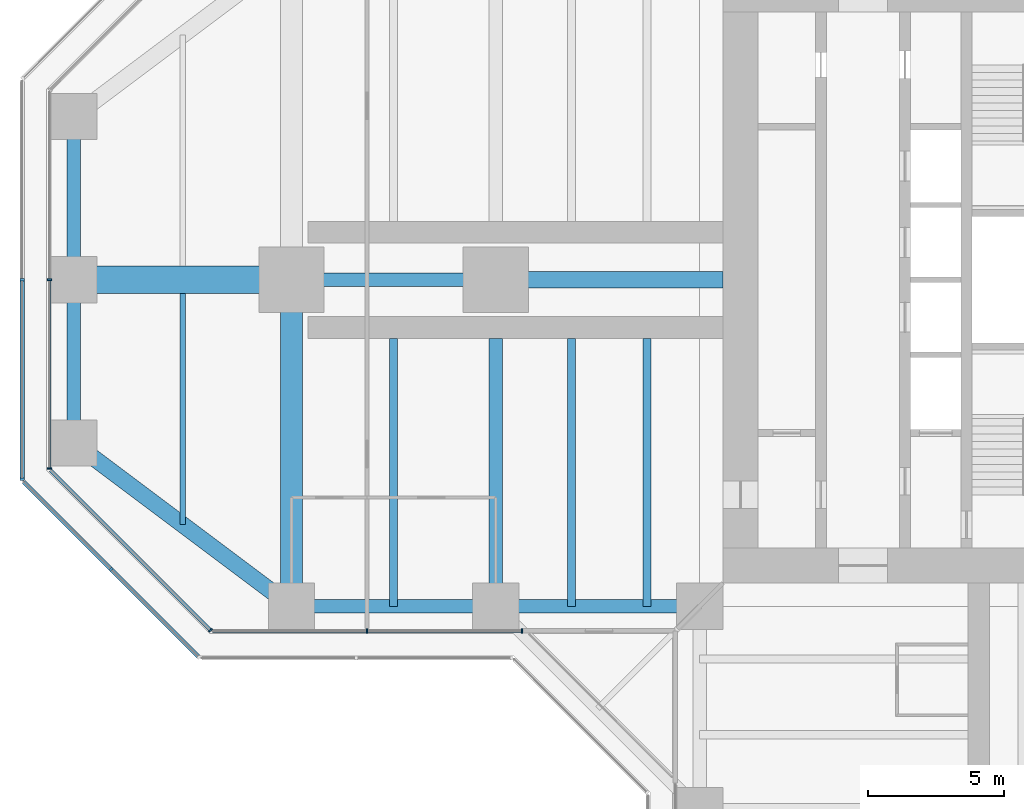
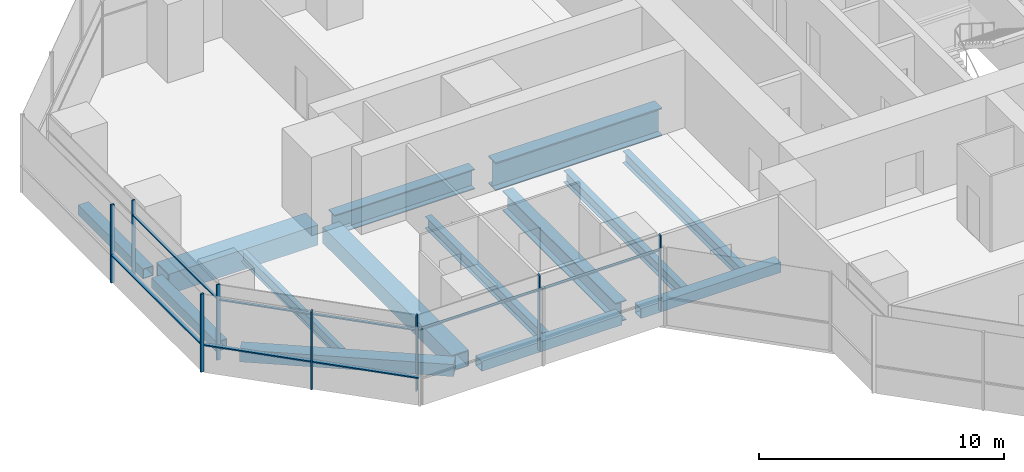
# One storey, part 3 of 19: 15 members, 14 beams, 5 elements without a shape of their own.
"""IFC4 building model written with IfcOpenShell, lengths in metres."""

from ifc_helpers import new_model, si_unit, direction, frame, origin, origin_2d, place, context, subcontext, project, spatial, rectangle, hollow_rectangle, i_section, extrude, material, material_profile, profile_set, type_object, element, aggregate, save


model = new_model("IFC4")

# Units and contexts
model_context = context("Model", 3, precision=1e-05, world=origin(), true_north=direction((0.0, 1.0)))
body_context = subcontext(model_context, "Body", "Model", "MODEL_VIEW")
ifc_project = project(units=[si_unit("LENGTHUNIT", "METRE"), si_unit("AREAUNIT", "SQUARE_METRE"), si_unit("VOLUMEUNIT", "CUBIC_METRE"), si_unit("PLANEANGLEUNIT", "RADIAN"), si_unit("MASSUNIT", "GRAM", prefix="KILO")], contexts=[model_context])

# Site, building, storey
site_placement = place(None, origin())
site = spatial("IfcSite", under=ifc_project, at=site_placement, CompositionType="ELEMENT")
building_placement = place(site_placement, origin())
building = spatial("IfcBuilding", under=site, at=building_placement, Name="Mizan Broadcast Tower", CompositionType="ELEMENT")
storey_placement = place(building_placement, frame((0.0, 0.0, 182.699951171875)))
storey = spatial("IfcBuildingStorey", under=building, at=storey_placement, Name="L42", CompositionType="ELEMENT", Elevation=182.699951171875)

# Beams
ifc_material_1 = material(Name="Steel S355", Category="steel")
ifc_material_profile_1 = material_profile(ifc_material_1, hollow_rectangle(XDim=0.5, YDim=0.5, WallThickness=0.030029296875, at=origin_2d()), Name="BOX 500x500x30")
ifc_profile_set_1 = profile_set([ifc_material_profile_1], Name="Steel S355")
beam_type_1 = type_object("IfcBeamType", Name="EDGE BEAM BOX 500x500x30", PredefinedType="SPANDREL", material=ifc_profile_set_1)
beam_1_placement = place(storey_placement, frame((-35.0, 5.639892578125, -0.3798828125), z_axis=(0.0, -1.0, 0.0), x_axis=(1.0, 0.0, 0.0)))
element("IfcBeam", 1, at=beam_1_placement, inside=storey, type_object=beam_type_1, Name="Edge beam BOX 500x500x30 L42 west arm", PredefinedType="SPANDREL", context=body_context, shape_type="SweptSolid", body=[
    extrude(hollow_rectangle(XDim=0.5, YDim=0.5, WallThickness=0.030029296875, at=origin_2d()), origin(), (0.0, 0.0, 1.0), 5.27978515625),
])
for number, where, z_axis, x_axis, name in (
    (2, (-12.449951171875, -12.0, -0.3798828125), (-1.0, 0.0, 0.0), (0.0, -1.0, 0.0), "Edge beam BOX 500x500x30 L42 west arm"),
    (3, (-19.949951171875, -12.0, -0.3798828125), (-1.0, 0.0, 0.0), (0.0, -1.0, 0.0), "Edge beam BOX 500x500x30 L42 west arm"),
):
    element("IfcBeam", number, at=place(storey_placement, frame(where, z_axis=z_axis, x_axis=x_axis)), inside=storey, type_object=beam_type_1, Name=name, PredefinedType="SPANDREL", context=body_context, shape_type="SweptSolid", body=[
        extrude(hollow_rectangle(XDim=0.5, YDim=0.5, WallThickness=0.030029296875, at=origin_2d()), origin(), (0.0, 0.0, 1.0), 6.60009765625),
    ])
beam_2_placement = place(storey_placement, frame((-35.0, -5.639892578125, -0.3798828125), z_axis=(0.0, 1.0, 0.0), x_axis=(-1.0, 0.0, 0.0)))
element("IfcBeam", 4, at=beam_2_placement, inside=storey, type_object=beam_type_1, Name="Edge beam BOX 500x500x30 L42 west arm", PredefinedType="SPANDREL", context=body_context, shape_type="SweptSolid", body=[
    extrude(hollow_rectangle(XDim=0.5, YDim=0.5, WallThickness=0.030029296875, at=origin_2d()), origin(), (0.0, 0.0, 1.0), 5.27978515625),
])
ifc_material_2 = material(Name="Steel S355", Category="steel")
ifc_material_profile_2 = material_profile(ifc_material_2, hollow_rectangle(XDim=0.60009765625, YDim=0.60009765625, WallThickness=0.030029296875, at=origin_2d()), Name="BOX 600x600x30")
ifc_profile_set_2 = profile_set([ifc_material_profile_2], Name="Steel S355")
beam_type_2 = type_object("IfcBeamType", Name="EDGE BEAM BOX 600x600x30", PredefinedType="SPANDREL", material=ifc_profile_set_2)
beam_3_placement = place(storey_placement, frame((-27.47998046875, -11.639892578125, -0.429931640625), z_axis=(-0.800013316712, 0.599982243973, 0.0), x_axis=(-0.599982243973, -0.800013316712, 0.0)))
element("IfcBeam", 5, at=beam_3_placement, inside=storey, type_object=beam_type_2, Name="Edge beam BOX 600x600x30 L42 west arm", PredefinedType="SPANDREL", context=body_context, shape_type="SweptSolid", body=[
    extrude(hollow_rectangle(XDim=0.60009765625, YDim=0.60009765625, WallThickness=0.030029296875, at=origin_2d()), origin(), (0.0, 0.0, 1.0), 8.7998046875),
])
ifc_material_3 = material(Name="Steel S460", Category="steel")
ifc_material_profile_3 = material_profile(ifc_material_3, hollow_rectangle(XDim=1.0, YDim=1.0, WallThickness=0.06005859375, at=origin_2d()), Name="BOX 1000x1000x60")
ifc_profile_set_3 = profile_set([ifc_material_profile_3], Name="Steel S460")
beam_type_3 = type_object("IfcBeamType", Name="GIRDER BOX 1000x1000x60", PredefinedType="BEAM", material=ifc_profile_set_3)
beam_4_placement = place(storey_placement, frame((-27.47998046875, 0.0, -0.6298828125), z_axis=(-1.0, 0.0, 0.0), x_axis=(0.0, -1.0, 0.0)))
element("IfcBeam", 6, at=beam_4_placement, inside=storey, type_object=beam_type_3, Name="Girder BOX 1000x1000x60 L42 west arm", PredefinedType="BEAM", context=body_context, shape_type="SweptSolid", body=[
    extrude(hollow_rectangle(XDim=1.0, YDim=1.0, WallThickness=0.06005859375, at=origin_2d()), origin(), (0.0, 0.0, 1.0), 7.0400390625),
])
ifc_material_4 = material(Name="Steel S460", Category="steel")
ifc_material_profile_4 = material_profile(ifc_material_4, hollow_rectangle(XDim=0.800048828125, YDim=0.800048828125, WallThickness=0.050048828125, at=origin_2d()), Name="BOX 800x800x50")
ifc_profile_set_4 = profile_set([ifc_material_profile_4], Name="Steel S460")
beam_type_4 = type_object("IfcBeamType", Name="GIRDER BOX 800x800x50", PredefinedType="BEAM", material=ifc_profile_set_4)
beam_5_placement = place(storey_placement, frame((-27.0, -11.280029296875, -0.530029296875), z_axis=(0.0, 1.0, 0.0), x_axis=(-1.0, 0.0, 0.0)))
element("IfcBeam", 7, at=beam_5_placement, inside=storey, type_object=beam_type_4, Name="Girder BOX 800x800x50 L42 west arm", PredefinedType="BEAM", context=body_context, shape_type="SweptSolid", body=[
    extrude(hollow_rectangle(XDim=0.800048828125, YDim=0.800048828125, WallThickness=0.050048828125, at=origin_2d()), origin(), (0.0, 0.0, 1.0), 10.56005859375),
])
ifc_material_5 = material(Name="Steel S460", Category="steel")
ifc_material_profile_5 = material_profile(ifc_material_5, i_section(OverallWidth=0.5, OverallDepth=1.0, WebThickness=0.02490234375, FlangeThickness=0.050048828125, at=origin_2d()), Name="WPG 1000x500")
ifc_profile_set_5 = profile_set([ifc_material_profile_5], Name="Steel S460")
beam_type_5 = type_object("IfcBeamType", Name="GIRDER WPG 1000x500", PredefinedType="BEAM", material=ifc_profile_set_5)
beam_6_placement = place(storey_placement, frame((-19.949951171875, 0.0, -0.6298828125), z_axis=(-1.0, 0.0, 0.0), x_axis=(0.0, -1.0, 0.0)))
element("IfcBeam", 8, at=beam_6_placement, inside=storey, type_object=beam_type_5, Name="Girder WPG 1000x500 L42 west arm", PredefinedType="BEAM", context=body_context, shape_type="SweptSolid", body=[
    extrude(i_section(OverallWidth=0.5, OverallDepth=1.0, WebThickness=0.02490234375, FlangeThickness=0.050048828125, at=origin_2d()), origin(), (0.0, 0.0, 1.0), 6.60009765625),
])
beam_7_placement = place(storey_placement, frame((-19.5, -11.408935546875, -0.6298828125), z_axis=(0.0, 1.0, 0.0), x_axis=(-1.0, 0.0, 0.0)))
element("IfcBeam", 9, at=beam_7_placement, inside=storey, type_object=beam_type_5, Name="Girder WPG 1000x500 L42 west arm", PredefinedType="BEAM", context=body_context, shape_type="SweptSolid", body=[
    extrude(i_section(OverallWidth=0.5, OverallDepth=1.0, WebThickness=0.02490234375, FlangeThickness=0.050048828125, at=origin_2d()), origin(), (0.0, 0.0, 1.0), 9.259033203125),
])
ifc_material_6 = material(Name="Steel S460", Category="steel")
ifc_material_profile_6 = material_profile(ifc_material_6, i_section(OverallWidth=0.60009765625, OverallDepth=1.39990234375, WebThickness=0.02490234375, FlangeThickness=0.06005859375, at=origin_2d()), Name="WPG 1400x600")
ifc_profile_set_6 = profile_set([ifc_material_profile_6], Name="Steel S460")
beam_type_6 = type_object("IfcBeamType", Name="GIRDER WPG 1400x600", PredefinedType="BEAM", material=ifc_profile_set_6)
beam_8_placement = place(storey_placement, frame((-11.14990234375, 0.0, -0.829833984375), z_axis=(-1.0, 0.0, 0.0), x_axis=(0.0, -1.0, 0.0)))
element("IfcBeam", 10, at=beam_8_placement, inside=storey, type_object=beam_type_6, Name="Girder WPG 1400x600 L42 west arm", PredefinedType="BEAM", context=body_context, shape_type="SweptSolid", body=[
    extrude(i_section(OverallWidth=0.60009765625, OverallDepth=1.39990234375, WebThickness=0.02490234375, FlangeThickness=0.06005859375, at=origin_2d()), origin(), (0.0, 0.0, 1.0), 7.84912109375),
])

# Curtain wall, members
ifc_material_7 = material(Name="Aluminium framed glazing", Category="aluminium")
curtain_wall_type_1 = type_object("IfcCurtainWallType", Name="INNER SKIN MID ZONE", PredefinedType="USERDEFINED", material=ifc_material_7)
curtain_wall_1_placement = place(storey_placement, origin())
curtain_wall_1 = element("IfcCurtainWall", 11, at=curtain_wall_1_placement, inside=storey, type_object=curtain_wall_type_1, Name="Inner skin mid zone L42 W end", ObjectType="INNER SKIN MID ZONE", PredefinedType="USERDEFINED")
ifc_material_8 = material(Name="Aluminium, pale anodised", Category="aluminium")
ifc_material_profile_7 = material_profile(ifc_material_8, rectangle(XDim=0.159912109375, YDim=0.06005859375, at=origin_2d()), Name="MULLION 160x60")
ifc_profile_set_7 = profile_set([ifc_material_profile_7], Name="Aluminium, pale anodised")
member_type_1 = type_object("IfcMemberType", Name="INNER SKIN MULLION 60x160", PredefinedType="MULLION", material=ifc_profile_set_7)
member_1_placement = place(storey_placement, frame((-35.89990234375, 0.0, 0.0), z_axis=(0.0, 0.0, 1.0), x_axis=(1.0, 0.0, 0.0)))
member_1 = element("IfcMember", 12, at=member_1_placement, type_object=member_type_1, Name="Inner skin mid zone L42 W end mullion 2", PredefinedType="MULLION", context=body_context, shape_type="SweptSolid", body=[
    extrude(rectangle(XDim=0.159912109375, YDim=0.06005859375, at=origin_2d()), origin(), (0.0, 0.0, 1.0), 3.77001953125),
])
member_2_placement = place(storey_placement, frame((-35.89990234375, -6.928466796875, 0.0), z_axis=(0.0, 0.0, 1.0), x_axis=(1.0, 0.0, 0.0)))
member_2 = element("IfcMember", 13, at=member_2_placement, type_object=member_type_1, Name="Inner skin mid zone L42 W end mullion 3", PredefinedType="MULLION", context=body_context, shape_type="SweptSolid", body=[
    extrude(rectangle(XDim=0.159912109375, YDim=0.06005859375, at=origin_2d()), origin(), (0.0, 0.0, 1.0), 3.77001953125),
])

# Curtain wall, member
curtain_wall_2_placement = place(storey_placement, origin())
curtain_wall_2 = element("IfcCurtainWall", 14, at=curtain_wall_2_placement, inside=storey, type_object=curtain_wall_type_1, Name="Inner skin mid zone L42 W chamfer", ObjectType="INNER SKIN MID ZONE", PredefinedType="USERDEFINED")
member_3_placement = place(storey_placement, frame((-29.979736328125, -12.87890625, 0.0), z_axis=(0.0, 0.0, 1.0), x_axis=(0.707106781187, 0.707106781187, 0.0)))
member_3 = element("IfcMember", 15, at=member_3_placement, type_object=member_type_1, Name="Inner skin mid zone L42 W chamfer mullion 2", PredefinedType="MULLION", context=body_context, shape_type="SweptSolid", body=[
    extrude(rectangle(XDim=0.159912109375, YDim=0.06005859375, at=origin_2d()), origin(), (0.0, 0.0, 1.0), 3.77001953125),
])

# Curtain wall, members
curtain_wall_3_placement = place(storey_placement, origin())
curtain_wall_3 = element("IfcCurtainWall", 16, at=curtain_wall_3_placement, inside=storey, type_object=curtain_wall_type_1, Name="Inner skin mid zone L42 W side", ObjectType="INNER SKIN MID ZONE", PredefinedType="USERDEFINED")
member_4_placement = place(storey_placement, frame((-24.229248046875, -12.89990234375, 0.0), z_axis=(0.0, 0.0, 1.0), x_axis=(0.0, 1.0, 0.0)))
member_4 = element("IfcMember", 17, at=member_4_placement, type_object=member_type_1, Name="Inner skin mid zone L42 W side mullion 2", PredefinedType="MULLION", context=body_context, shape_type="SweptSolid", body=[
    extrude(rectangle(XDim=0.159912109375, YDim=0.06005859375, at=origin_2d()), origin(), (0.0, 0.0, 1.0), 3.77001953125),
])
member_5_placement = place(storey_placement, frame((-18.530029296875, -12.89990234375, 0.0), z_axis=(0.0, 0.0, 1.0), x_axis=(0.0, 1.0, 0.0)))
member_5 = element("IfcMember", 18, at=member_5_placement, type_object=member_type_1, Name="Inner skin mid zone L42 W side mullion 3", PredefinedType="MULLION", context=body_context, shape_type="SweptSolid", body=[
    extrude(rectangle(XDim=0.159912109375, YDim=0.06005859375, at=origin_2d()), origin(), (0.0, 0.0, 1.0), 3.77001953125),
])

# Member
ifc_material_9 = material(Name="Aluminium, pale anodised", Category="aluminium")
ifc_material_profile_8 = material_profile(ifc_material_9, rectangle(XDim=0.1201171875, YDim=0.06005859375, at=origin_2d()), Name="TRANSOM 120x60")
ifc_profile_set_8 = profile_set([ifc_material_profile_8], Name="Aluminium, pale anodised")
member_type_2 = type_object("IfcMemberType", Name="INNER SKIN TRANSOM 60x120", PredefinedType="USERDEFINED", material=ifc_profile_set_8)
member_6_placement = place(storey_placement, frame((-35.89990234375, -0.030029296875, 3.030029296875), z_axis=(0.0, -1.0, 0.0), x_axis=(1.0, 0.0, 0.0)))
member_6 = element("IfcMember", 19, at=member_6_placement, type_object=member_type_2, Name="Inner skin mid zone L42 W end transom 2.1", ObjectType="TRANSOM", PredefinedType="USERDEFINED", context=body_context, shape_type="SweptSolid", body=[
    extrude(rectangle(XDim=0.1201171875, YDim=0.06005859375, at=origin_2d()), origin(), (0.0, 0.0, 1.0), 6.86865234375),
])

aggregate(curtain_wall_1, [member_1, member_2, member_6])

member_7_placement = place(storey_placement, frame((-35.857666015625, -7.0009765625, 3.030029296875), z_axis=(0.707106781187, -0.707106781187, 0.0), x_axis=(0.707106781187, 0.707106781187, 0.0)))
member_7 = element("IfcMember", 20, at=member_7_placement, type_object=member_type_2, Name="Inner skin mid zone L42 W chamfer transom 1.1", ObjectType="TRANSOM", PredefinedType="USERDEFINED", context=body_context, shape_type="SweptSolid", body=[
    extrude(rectangle(XDim=0.1201171875, YDim=0.06005859375, at=origin_2d()), origin(), (0.0, 0.0, 1.0), 8.28271484375),
])

aggregate(curtain_wall_2, [member_3, member_7])

member_8_placement = place(storey_placement, frame((-29.898681640625, -12.89990234375, 3.030029296875), z_axis=(1.0, 0.0, 0.0), x_axis=(0.0, 1.0, 0.0)))
member_8 = element("IfcMember", 21, at=member_8_placement, type_object=member_type_2, Name="Inner skin mid zone L42 W side transom 1.1", ObjectType="TRANSOM", PredefinedType="USERDEFINED", context=body_context, shape_type="SweptSolid", body=[
    extrude(rectangle(XDim=0.1201171875, YDim=0.06005859375, at=origin_2d()), origin(), (0.0, 0.0, 1.0), 5.639404296875),
])

member_9_placement = place(storey_placement, frame((-24.19921875, -12.89990234375, 3.030029296875), z_axis=(1.0, 0.0, 0.0), x_axis=(0.0, 1.0, 0.0)))
member_9 = element("IfcMember", 22, at=member_9_placement, type_object=member_type_2, Name="Inner skin mid zone L42 W side transom 2.1", ObjectType="TRANSOM", PredefinedType="USERDEFINED", context=body_context, shape_type="SweptSolid", body=[
    extrude(rectangle(XDim=0.1201171875, YDim=0.06005859375, at=origin_2d()), origin(), (0.0, 0.0, 1.0), 5.63916015625),
])

aggregate(curtain_wall_3, [member_4, member_5, member_8, member_9])

# Curtain wall, members
ifc_material_10 = material(Name="Aluminium framed glazing", Category="aluminium")
curtain_wall_type_2 = type_object("IfcCurtainWallType", Name="OUTER SKIN", PredefinedType="USERDEFINED", material=ifc_material_10)
curtain_wall_4_placement = place(storey_placement, origin())
curtain_wall_4 = element("IfcCurtainWall", 23, at=curtain_wall_4_placement, inside=storey, type_object=curtain_wall_type_2, Name="Outer skin L42 W end", ObjectType="OUTER SKIN", PredefinedType="USERDEFINED")
ifc_material_11 = material(Name="Aluminium, pale anodised", Category="aluminium")
ifc_material_profile_9 = material_profile(ifc_material_11, rectangle(XDim=0.159912109375, YDim=0.080078125, at=origin_2d()), Name="MULLION 160x80")
ifc_profile_set_9 = profile_set([ifc_material_profile_9], Name="Aluminium, pale anodised")
member_type_3 = type_object("IfcMemberType", Name="OUTER SKIN MULLION 80x160", PredefinedType="MULLION", material=ifc_profile_set_9)
member_10_placement = place(storey_placement, frame((-36.89990234375, 0.0, 0.0), z_axis=(0.0, 0.0, 1.0), x_axis=(1.0, 0.0, 0.0)))
member_10 = element("IfcMember", 24, at=member_10_placement, type_object=member_type_3, Name="Outer skin L42 W end mullion 2", PredefinedType="MULLION", context=body_context, shape_type="SweptSolid", body=[
    extrude(rectangle(XDim=0.159912109375, YDim=0.080078125, at=origin_2d()), origin(), (0.0, 0.0, 1.0), 3.900146484375),
])
member_11_placement = place(storey_placement, frame((-36.89990234375, -7.332763671875, 0.0), z_axis=(0.0, 0.0, 1.0), x_axis=(1.0, 0.0, 0.0)))
member_11 = element("IfcMember", 25, at=member_11_placement, type_object=member_type_3, Name="Outer skin L42 W end mullion 3", PredefinedType="MULLION", context=body_context, shape_type="SweptSolid", body=[
    extrude(rectangle(XDim=0.159912109375, YDim=0.080078125, at=origin_2d()), origin(), (0.0, 0.0, 1.0), 3.900146484375),
])

# Curtain wall, member
curtain_wall_5_placement = place(storey_placement, origin())
curtain_wall_5 = element("IfcCurtainWall", 26, at=curtain_wall_5_placement, inside=storey, type_object=curtain_wall_type_2, Name="Outer skin L42 W chamfer", ObjectType="OUTER SKIN", PredefinedType="USERDEFINED")
member_12_placement = place(storey_placement, frame((-33.636474609375, -10.636474609375, 0.0), z_axis=(0.0, 0.0, 1.0), x_axis=(0.707106781187, 0.707106781187, 0.0)))
member_12 = element("IfcMember", 27, at=member_12_placement, type_object=member_type_3, Name="Outer skin L42 W chamfer mullion 2", PredefinedType="MULLION", context=body_context, shape_type="SweptSolid", body=[
    extrude(rectangle(XDim=0.159912109375, YDim=0.080078125, at=origin_2d()), origin(), (0.0, 0.0, 1.0), 3.900146484375),
])

# Member
ifc_material_12 = material(Name="Aluminium, pale anodised", Category="aluminium")
ifc_material_profile_10 = material_profile(ifc_material_12, rectangle(XDim=0.159912109375, YDim=0.06005859375, at=origin_2d()), Name="TRANSOM 160x60")
ifc_profile_set_10 = profile_set([ifc_material_profile_10], Name="Aluminium, pale anodised")
member_type_4 = type_object("IfcMemberType", Name="OUTER SKIN TRANSOM 60x160", PredefinedType="USERDEFINED", material=ifc_profile_set_10)
member_13_placement = place(storey_placement, frame((-36.89990234375, -0.0400390625, 1.400146484375), z_axis=(0.0, -1.0, 0.0), x_axis=(1.0, 0.0, 0.0)))
member_13 = element("IfcMember", 28, at=member_13_placement, type_object=member_type_4, Name="Outer skin L42 W end transom 2.1", ObjectType="TRANSOM", PredefinedType="USERDEFINED", context=body_context, shape_type="SweptSolid", body=[
    extrude(rectangle(XDim=0.159912109375, YDim=0.06005859375, at=origin_2d()), origin(), (0.0, 0.0, 1.0), 7.252685546875),
])

aggregate(curtain_wall_4, [member_10, member_11, member_13])

member_14_placement = place(storey_placement, frame((-36.843505859375, -7.429443359375, 1.400146484375), z_axis=(0.707106781187, -0.707106781187, 0.0), x_axis=(0.707106781187, 0.707106781187, 0.0)))
member_14 = element("IfcMember", 29, at=member_14_placement, type_object=member_type_4, Name="Outer skin L42 W chamfer transom 1.1", ObjectType="TRANSOM", PredefinedType="USERDEFINED", context=body_context, shape_type="SweptSolid", body=[
    extrude(rectangle(XDim=0.159912109375, YDim=0.06005859375, at=origin_2d()), origin(), (0.0, 0.0, 1.0), 4.495361328125),
])

member_15_placement = place(storey_placement, frame((-33.608154296875, -10.664794921875, 1.400146484375), z_axis=(0.707106781187, -0.707106781187, 0.0), x_axis=(0.707106781187, 0.707106781187, 0.0)))
member_15 = element("IfcMember", 30, at=member_15_placement, type_object=member_type_4, Name="Outer skin L42 W chamfer transom 2.1", ObjectType="TRANSOM", PredefinedType="USERDEFINED", context=body_context, shape_type="SweptSolid", body=[
    extrude(rectangle(XDim=0.159912109375, YDim=0.06005859375, at=origin_2d()), origin(), (0.0, 0.0, 1.0), 4.495361328125),
])

aggregate(curtain_wall_5, [member_12, member_14, member_15])

# Beams
ifc_material_13 = material(Name="Steel S355", Category="steel")
ifc_material_profile_11 = material_profile(ifc_material_13, i_section(OverallWidth=0.300048828125, OverallDepth=0.590087890625, WebThickness=0.012939453125, FlangeThickness=0.02490234375, FilletRadius=0.027099609375, at=origin_2d()), Name="HEA 600")
ifc_profile_set_11 = profile_set([ifc_material_profile_11], Name="Steel S355")
beam_type_7 = type_object("IfcBeamType", Name="SECONDARY BEAM HEA 600", PredefinedType="JOIST", material=ifc_profile_set_11)
for number, where, z_axis, x_axis, name in (
    (31, (-13.933349609375, -12.0, -0.425048828125), (0.0, 1.0, 0.0), (-1.0, 0.0, 0.0), "Secondary beam HEA 600 L42 west arm"),
    (32, (-16.716552734375, -12.0, -0.425048828125), (0.0, 1.0, 0.0), (-1.0, 0.0, 0.0), "Secondary beam HEA 600 L42 west arm"),
    (33, (-23.25, -12.0, -0.425048828125), (0.0, 1.0, 0.0), (-1.0, 0.0, 0.0), "Secondary beam HEA 600 L42 west arm"),
):
    element("IfcBeam", number, at=place(storey_placement, frame(where, z_axis=z_axis, x_axis=x_axis)), inside=storey, type_object=beam_type_7, Name=name, PredefinedType="JOIST", context=body_context, shape_type="SweptSolid", body=[
        extrude(i_section(OverallWidth=0.300048828125, OverallDepth=0.590087890625, WebThickness=0.012939453125, FlangeThickness=0.02490234375, FilletRadius=0.027099609375, at=origin_2d()), origin(), (0.0, 0.0, 1.0), 9.85009765625),
    ])
ifc_material_14 = material(Name="Steel S355", Category="steel")
ifc_material_profile_12 = material_profile(ifc_material_14, i_section(OverallWidth=0.2099609375, OverallDepth=0.550048828125, WebThickness=0.010986328125, FlangeThickness=0.01708984375, FilletRadius=0.02392578125, at=origin_2d()), Name="IPE 550")
ifc_profile_set_12 = profile_set([ifc_material_profile_12], Name="Steel S355")
beam_type_8 = type_object("IfcBeamType", Name="SECONDARY BEAM IPE 550", PredefinedType="JOIST", material=ifc_profile_set_12)
beam_9_placement = place(storey_placement, frame((-31.0, -9.0, -0.405029296875), z_axis=(0.0, 1.0, 0.0), x_axis=(-1.0, 0.0, 0.0)))
element("IfcBeam", 34, at=beam_9_placement, inside=storey, type_object=beam_type_8, Name="Secondary beam IPE 550 L42 west arm", PredefinedType="JOIST", context=body_context, shape_type="SweptSolid", body=[
    extrude(i_section(OverallWidth=0.2099609375, OverallDepth=0.550048828125, WebThickness=0.010986328125, FlangeThickness=0.01708984375, FilletRadius=0.02392578125, at=origin_2d()), origin(), (0.0, 0.0, 1.0), 8.5),
])

save(model, "model.ifc")
